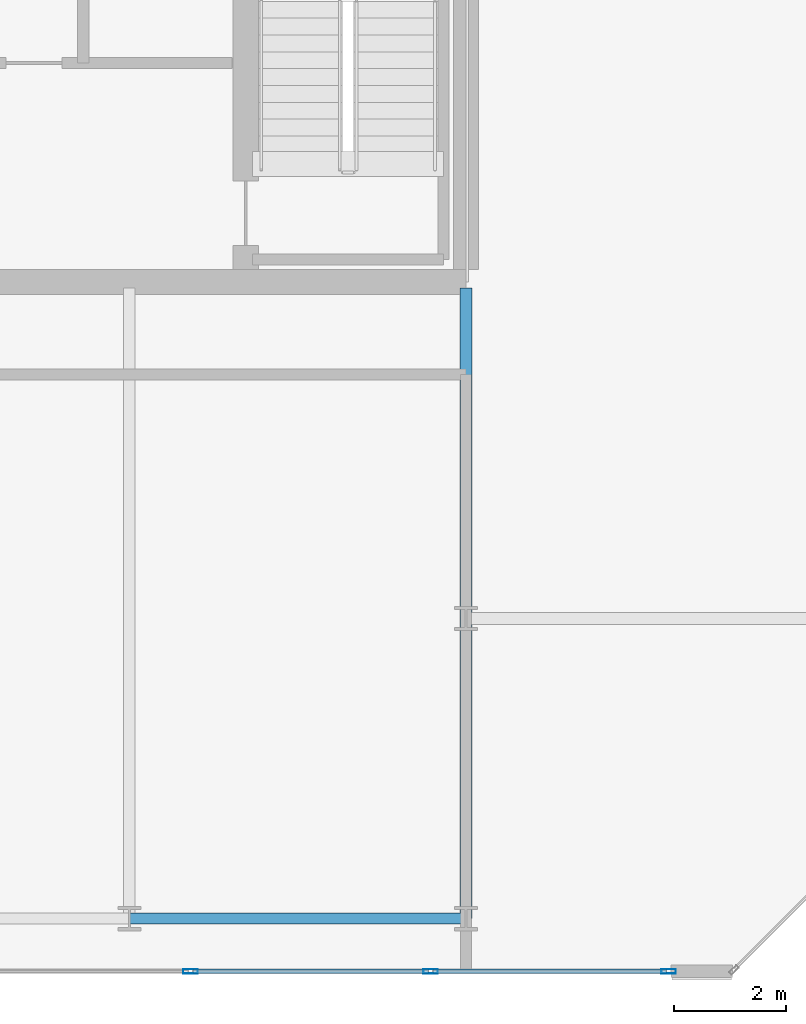
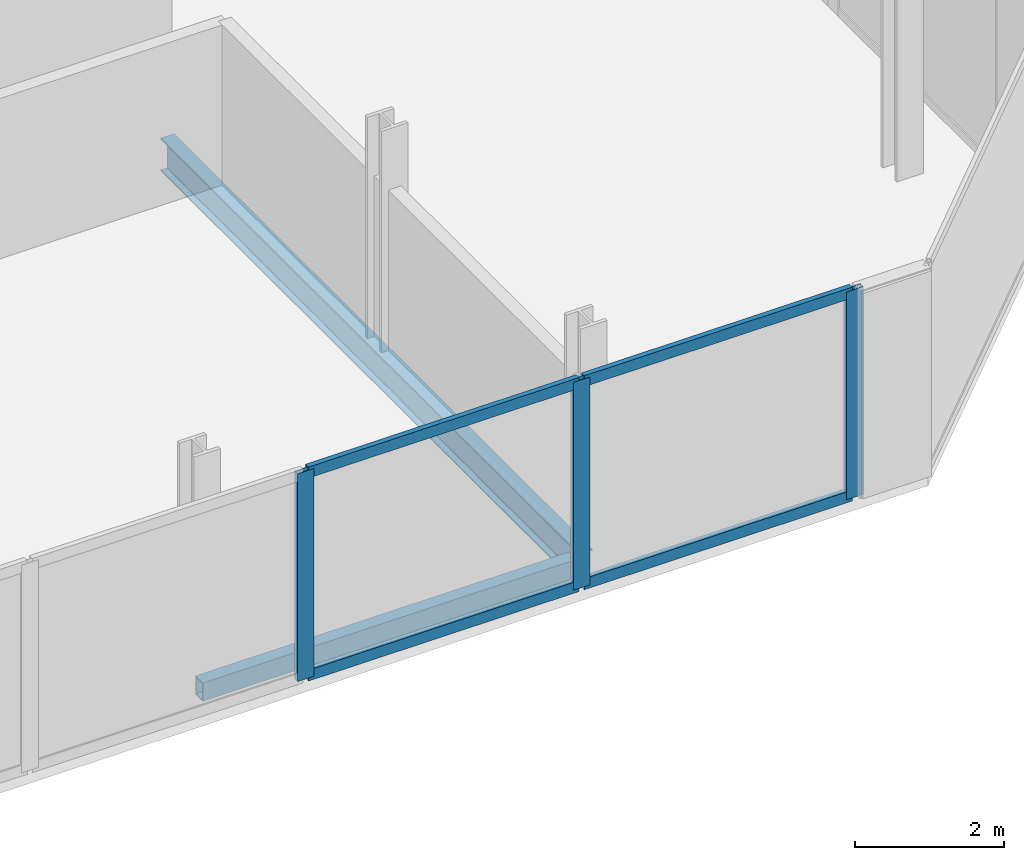
# One storey, part 6 of 16: 7 members, 2 beams, 1 element without a shape of its own.
"""IFC4 building model written with IfcOpenShell, lengths in metres."""

from ifc_helpers import new_model, si_unit, direction, frame, origin, origin_2d, place, context, subcontext, project, spatial, hollow_rectangle, i_section, extrude, material, layer, layer_set, material_profile, profile_set, type_object, element, aggregate, save


model = new_model("IFC4")

# Units and contexts
model_context = context("Model", 3, precision=1e-05, world=origin(), true_north=direction((0.0, 1.0)))
body_context = subcontext(model_context, "Body", "Model", "MODEL_VIEW")
ifc_project = project(units=[si_unit("LENGTHUNIT", "METRE"), si_unit("AREAUNIT", "SQUARE_METRE"), si_unit("VOLUMEUNIT", "CUBIC_METRE"), si_unit("PLANEANGLEUNIT", "RADIAN"), si_unit("MASSUNIT", "GRAM", prefix="KILO")], contexts=[model_context])

# Site, building, storey
site_placement = place(None, origin())
site = spatial("IfcSite", under=ifc_project, at=site_placement, CompositionType="ELEMENT")
building_placement = place(site_placement, origin())
building = spatial("IfcBuilding", under=site, at=building_placement, Name="Tanjung Sevakor Pilgrim Tower", CompositionType="ELEMENT")
storey_placement = place(building_placement, frame((0.0, 0.0, 271.590087890625)))
storey = spatial("IfcBuildingStorey", under=building, at=storey_placement, Name="L76", CompositionType="ELEMENT", Elevation=271.590087890625)

# Beams
ifc_material_1 = material(Name="Steel S355J2", Category="steel")
ifc_material_profile_1 = material_profile(ifc_material_1, i_section(OverallWidth=0.210693359375, OverallDepth=0.53955078125, WebThickness=0.01171875, FlangeThickness=0.018798828125, FilletRadius=0.0126953125, at=origin_2d()))
ifc_profile_set_1 = profile_set([ifc_material_profile_1], Name="Steel S355J2")
beam_type_1 = type_object("IfcBeamType", Name="BM-B-G6-UB_533x210x109", PredefinedType="BEAM", material=ifc_profile_set_1)
beam_1_placement = place(storey_placement, frame((90.0, 13.25, -0.48974609375), z_axis=(0.0, 1.0, 0.0), x_axis=(-1.0, 0.0, 0.0)))
element("IfcBeam", 1, at=beam_1_placement, inside=storey, type_object=beam_type_1, Name="L76 EAST Girder 009", PredefinedType="BEAM", context=body_context, shape_type="SweptSolid", body=[
    extrude(i_section(OverallWidth=0.210693359375, OverallDepth=0.53955078125, WebThickness=0.01171875, FlangeThickness=0.018798828125, FilletRadius=0.0126953125, at=origin_2d()), origin(), (0.0, 0.0, 1.0), 11.243896484375),
])
ifc_material_2 = material(Name="Steel S355J2", Category="steel")
ifc_material_profile_2 = material_profile(ifc_material_2, hollow_rectangle(XDim=0.199951171875, YDim=0.300048828125, WallThickness=0.012451171875, at=origin_2d()))
ifc_profile_set_2 = profile_set([ifc_material_profile_2], Name="Steel S355J2")
beam_type_2 = type_object("IfcBeamType", Name="BM-B-SP3-RHS_300x200x12.5", PredefinedType="SPANDREL", material=ifc_profile_set_2)
beam_2_placement = place(storey_placement, frame((84.0, 13.25, -0.3701171875), z_axis=(1.0, 0.0, 0.0), x_axis=(0.0, 1.0, 0.0)))
element("IfcBeam", 2, at=beam_2_placement, inside=storey, type_object=beam_type_2, Name="L76 Spandrel EAST S-05", PredefinedType="SPANDREL", context=body_context, shape_type="SweptSolid", body=[
    extrude(hollow_rectangle(XDim=0.199951171875, YDim=0.300048828125, WallThickness=0.012451171875, at=origin_2d()), origin(), (0.0, 0.0, 1.0), 6.0),
])

# Curtain wall, members
ifc_material_3 = material(Name="Aluminium 6063-T6 and Low-E Glass", Category="aluminium")
ifc_layer = layer(ifc_material_3, 0.219970703125)
ifc_layer_set = layer_set([ifc_layer], Name="CW-SYS-CRNE")
curtain_wall_type = type_object("IfcCurtainWallType", Name="CW-SYS-CRNE", PredefinedType="NOTDEFINED", material=ifc_layer_set)
curtain_wall_placement = place(storey_placement, origin())
curtain_wall = element("IfcCurtainWall", 3, at=curtain_wall_placement, inside=storey, type_object=curtain_wall_type, Name="L76 Curtain Wall CW-CRN-L76-EAST-0-1", PredefinedType="NOTDEFINED")
ifc_material_4 = material(Name="Aluminium 6063-T6", Category="aluminium")
ifc_material_profile_3 = material_profile(ifc_material_4, hollow_rectangle(XDim=0.080078125, YDim=0.260009765625, WallThickness=0.0048828125, at=origin_2d()))
ifc_profile_set_3 = profile_set([ifc_material_profile_3], Name="Aluminium 6063-T6")
member_type_1 = type_object("IfcMemberType", Name="TYPE-CWM-3", PredefinedType="MULLION", material=ifc_profile_set_3)
member_1_placement = place(storey_placement, frame((85.0908203125, 12.31005859375, 0.0), z_axis=(0.0, 0.0, 1.0), x_axis=(0.0, 1.0, 0.0)))
member_1 = element("IfcMember", 4, at=member_1_placement, type_object=member_type_1, Name="CW-CRE mullion 4", PredefinedType="MULLION", context=body_context, shape_type="SweptSolid", body=[
    extrude(hollow_rectangle(XDim=0.080078125, YDim=0.260009765625, WallThickness=0.0048828125, at=origin_2d()), origin(), (0.0, 0.0, 1.0), 3.409912109375),
])
member_2_placement = place(storey_placement, frame((89.37255859375, 12.31005859375, 0.0), z_axis=(0.0, 0.0, 1.0), x_axis=(0.0, 1.0, 0.0)))
member_2 = element("IfcMember", 5, at=member_2_placement, type_object=member_type_1, Name="CW-CRE mullion 5", PredefinedType="MULLION", context=body_context, shape_type="SweptSolid", body=[
    extrude(hollow_rectangle(XDim=0.080078125, YDim=0.260009765625, WallThickness=0.0048828125, at=origin_2d()), origin(), (0.0, 0.0, 1.0), 3.409912109375),
])
member_3_placement = place(storey_placement, frame((93.614501953125, 12.31005859375, 0.0), z_axis=(0.0, 0.0, 1.0), x_axis=(0.0, 1.0, 0.0)))
member_3 = element("IfcMember", 6, at=member_3_placement, type_object=member_type_1, Name="CW-CRE mullion 6", PredefinedType="MULLION", context=body_context, shape_type="SweptSolid", body=[
    extrude(hollow_rectangle(XDim=0.080078125, YDim=0.260009765625, WallThickness=0.0048828125, at=origin_2d()), origin(), (0.0, 0.0, 1.0), 3.409912109375),
])
ifc_material_5 = material(Name="Aluminium 6063-T6", Category="aluminium")
ifc_material_profile_4 = material_profile(ifc_material_5, hollow_rectangle(XDim=0.080078125, YDim=0.179931640625, WallThickness=0.0048828125, at=origin_2d()))
ifc_profile_set_4 = profile_set([ifc_material_profile_4], Name="Aluminium 6063-T6")
member_type_2 = type_object("IfcMemberType", Name="TYPE-CWT-3", PredefinedType="USERDEFINED", material=ifc_profile_set_4)
member_4_placement = place(storey_placement, frame((85.130859375, 12.31005859375, 0.039794921875), z_axis=(1.0, 0.0, 0.0), x_axis=(0.0, 1.0, 0.0)))
member_4 = element("IfcMember", 7, at=member_4_placement, type_object=member_type_2, Name="CW-CRE transom 4.1", ObjectType="TRANSOM", PredefinedType="USERDEFINED", context=body_context, shape_type="SweptSolid", body=[
    extrude(hollow_rectangle(XDim=0.080078125, YDim=0.179931640625, WallThickness=0.0048828125, at=origin_2d()), origin(), (0.0, 0.0, 1.0), 4.20166015625),
])
member_5_placement = place(storey_placement, frame((85.130859375, 12.31005859375, 3.369873046875), z_axis=(1.0, 0.0, 0.0), x_axis=(0.0, 1.0, 0.0)))
member_5 = element("IfcMember", 8, at=member_5_placement, type_object=member_type_2, Name="CW-CRE transom 4.2", ObjectType="TRANSOM", PredefinedType="USERDEFINED", context=body_context, shape_type="SweptSolid", body=[
    extrude(hollow_rectangle(XDim=0.080078125, YDim=0.179931640625, WallThickness=0.0048828125, at=origin_2d()), origin(), (0.0, 0.0, 1.0), 4.20166015625),
])
member_6_placement = place(storey_placement, frame((89.41259765625, 12.31005859375, 0.039794921875), z_axis=(1.0, 0.0, 0.0), x_axis=(0.0, 1.0, 0.0)))
member_6 = element("IfcMember", 9, at=member_6_placement, type_object=member_type_2, Name="CW-CRE transom 5.1", ObjectType="TRANSOM", PredefinedType="USERDEFINED", context=body_context, shape_type="SweptSolid", body=[
    extrude(hollow_rectangle(XDim=0.080078125, YDim=0.179931640625, WallThickness=0.0048828125, at=origin_2d()), origin(), (0.0, 0.0, 1.0), 4.161865234375),
])
member_7_placement = place(storey_placement, frame((89.41259765625, 12.31005859375, 3.369873046875), z_axis=(1.0, 0.0, 0.0), x_axis=(0.0, 1.0, 0.0)))
member_7 = element("IfcMember", 10, at=member_7_placement, type_object=member_type_2, Name="CW-CRE transom 5.2", ObjectType="TRANSOM", PredefinedType="USERDEFINED", context=body_context, shape_type="SweptSolid", body=[
    extrude(hollow_rectangle(XDim=0.080078125, YDim=0.179931640625, WallThickness=0.0048828125, at=origin_2d()), origin(), (0.0, 0.0, 1.0), 4.161865234375),
])
aggregate(curtain_wall, [member_1, member_2, member_3, member_4, member_5, member_6, member_7])

save(model, "model.ifc")
